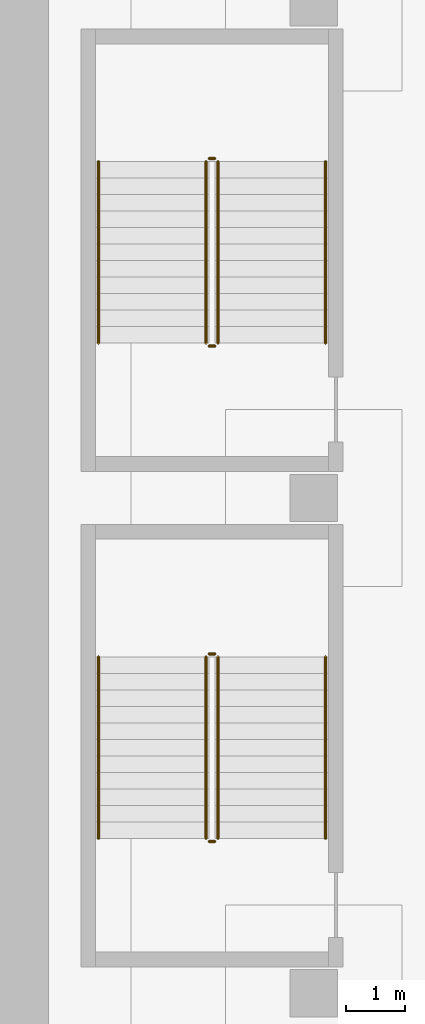
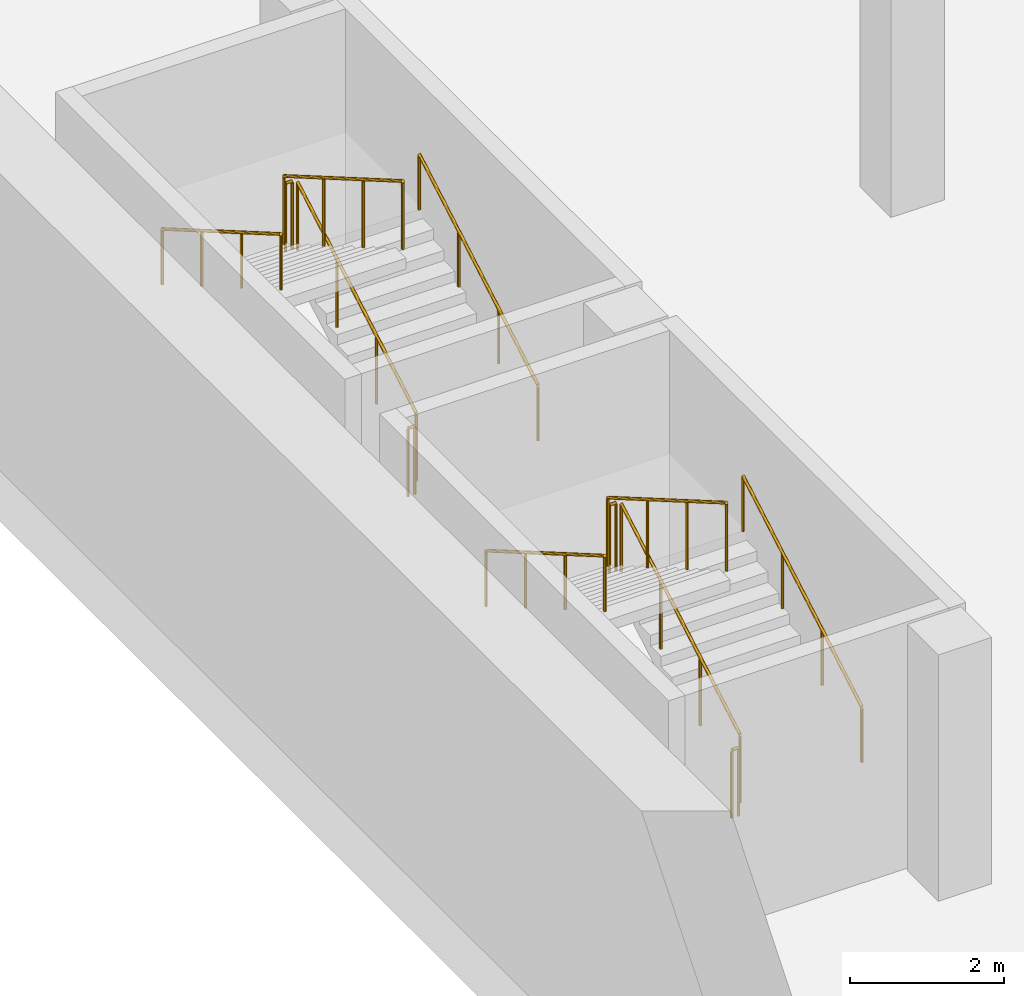
# One storey, part 24 of 27: 12 railings.
"""IFC4 building model written with IfcOpenShell, lengths in metres."""

from ifc_helpers import new_model, si_unit, direction, frame, origin, origin_2d, place, context, subcontext, project, spatial, circle, extrude, material, type_object, element, save


model = new_model("IFC4")

# Units and contexts
model_context = context("Model", 3, precision=1e-05, world=origin(), true_north=direction((0.0, 1.0)))
body_context = subcontext(model_context, "Body", "Model", "MODEL_VIEW")
ifc_project = project(units=[si_unit("LENGTHUNIT", "METRE"), si_unit("AREAUNIT", "SQUARE_METRE"), si_unit("VOLUMEUNIT", "CUBIC_METRE"), si_unit("PLANEANGLEUNIT", "RADIAN"), si_unit("MASSUNIT", "GRAM", prefix="KILO")], contexts=[model_context])

# Site, building, storey
site_placement = place(None, origin())
site = spatial("IfcSite", under=ifc_project, at=site_placement, CompositionType="ELEMENT")
building_placement = place(site_placement, origin())
building = spatial("IfcBuilding", under=site, at=building_placement, Name="Verdalira Terraces Hotel", CompositionType="ELEMENT")
storey_placement = place(building_placement, frame((0.0, 0.0, -11.699951)))
storey = spatial("IfcBuildingStorey", under=building, at=storey_placement, Name="B3", CompositionType="ELEMENT", Elevation=-11.699951171875)

# Railings
ifc_material_1 = material(Name="Stainless steel", Category="steel")
railing_type_1 = type_object("IfcRailingType", Name="Stair guard 1100", PredefinedType="GUARDRAIL", material=ifc_material_1)
railing_1_placement = place(storey_placement, frame((-50.125, 27.824951, 0.162354)))
element("IfcRailing", 1, at=railing_1_placement, inside=storey, type_object=railing_type_1, Name="B3 Basement stair 4 stair guard 1", PredefinedType="GUARDRAIL", context=body_context, shape_type="SweptSolid", body=[
    extrude(circle(Radius=0.023926, at=origin_2d()), frame((0.0, 0.0, 1.076172), z_axis=(0.0, 0.864890721, 0.501960198), x_axis=(-1.0, 0.0, 0.0)), (0.0, 0.0, 1.0), 3.561279),
    extrude(circle(Radius=0.020996, at=origin_2d()), origin(), (0.0, 0.0, 1.0), 1.052002),
    extrude(circle(Radius=0.020996, at=origin_2d()), frame((0.0, 1.026611, 0.595947)), (0.0, 0.0, 1.0), 1.052002),
    extrude(circle(Radius=0.020996, at=origin_2d()), frame((0.0, 2.053467, 1.19165)), (0.0, 0.0, 1.0), 1.052002),
    extrude(circle(Radius=0.020996, at=origin_2d()), frame((0.0, 3.080078, 1.787598)), (0.0, 0.0, 1.0), 1.052002),
])
railing_2_placement = place(storey_placement, frame((-50.175049, 30.955078, 1.949951)))
element("IfcRailing", 2, at=railing_2_placement, inside=storey, type_object=railing_type_1, Name="B3 Basement stair 4 stair guard 2", PredefinedType="GUARDRAIL", context=body_context, shape_type="SweptSolid", body=[
    extrude(circle(Radius=0.023926, at=origin_2d()), frame((0.0, 0.0, 1.076172), z_axis=(-1.0, 0.0, 0.0), x_axis=(0.0, -1.0, 0.0)), (0.0, 0.0, 1.0), 0.099854),
    extrude(circle(Radius=0.020996, at=origin_2d()), origin(), (0.0, 0.0, 1.0), 1.052002),
    extrude(circle(Radius=0.020996, at=origin_2d()), frame((-0.099854, 0.0, 0.0)), (0.0, 0.0, 1.0), 1.052002),
])
railing_3_placement = place(storey_placement, frame((-50.324951, 30.905029, 2.112549)))
element("IfcRailing", 3, at=railing_3_placement, inside=storey, type_object=railing_type_1, Name="B3 Basement stair 4 stair guard 3", PredefinedType="GUARDRAIL", context=body_context, shape_type="SweptSolid", body=[
    extrude(circle(Radius=0.023926, at=origin_2d()), frame((0.0, 0.0, 1.076172), z_axis=(0.0, -0.864920483, 0.501908914), x_axis=(1.0, 0.0, 0.0)), (0.0, 0.0, 1.0), 3.561035),
    extrude(circle(Radius=0.020996, at=origin_2d()), origin(), (0.0, 0.0, 1.0), 1.052002),
    extrude(circle(Radius=0.020996, at=origin_2d()), frame((0.0, -1.026611, 0.595703)), (0.0, 0.0, 1.0), 1.052002),
    extrude(circle(Radius=0.020996, at=origin_2d()), frame((0.0, -2.053467, 1.19165)), (0.0, 0.0, 1.0), 1.052002),
    extrude(circle(Radius=0.020996, at=origin_2d()), frame((0.0, -3.080078, 1.787354)), (0.0, 0.0, 1.0), 1.052002),
])
railing_4_placement = place(storey_placement, frame((-50.175049, 27.774902, 0.0)))
element("IfcRailing", 4, at=railing_4_placement, inside=storey, type_object=railing_type_1, Name="B3 Basement stair 4 stair guard 4", PredefinedType="GUARDRAIL", context=body_context, shape_type="SweptSolid", body=[
    extrude(circle(Radius=0.023926, at=origin_2d()), frame((0.0, 0.0, 1.076172), z_axis=(-1.0, 0.0, 0.0), x_axis=(0.0, -1.0, 0.0)), (0.0, 0.0, 1.0), 0.099854),
    extrude(circle(Radius=0.020996, at=origin_2d()), origin(), (0.0, 0.0, 1.0), 1.052002),
    extrude(circle(Radius=0.020996, at=origin_2d()), frame((-0.099854, 0.0, 0.0)), (0.0, 0.0, 1.0), 1.052002),
])
railing_5_placement = place(storey_placement, frame((-50.125, 19.425049, 0.162354)))
element("IfcRailing", 5, at=railing_5_placement, inside=storey, type_object=railing_type_1, Name="B3 Basement stair 7 stair guard 1", PredefinedType="GUARDRAIL", context=body_context, shape_type="SweptSolid", body=[
    extrude(circle(Radius=0.023926, at=origin_2d()), frame((0.0, 0.0, 1.076172), z_axis=(0.0, 0.864873446, 0.501989962), x_axis=(-1.0, 0.0, 0.0)), (0.0, 0.0, 1.0), 3.561035),
    extrude(circle(Radius=0.020996, at=origin_2d()), origin(), (0.0, 0.0, 1.0), 1.052002),
    extrude(circle(Radius=0.020996, at=origin_2d()), frame((0.0, 1.026611, 0.595947)), (0.0, 0.0, 1.0), 1.052002),
    extrude(circle(Radius=0.020996, at=origin_2d()), frame((0.0, 2.053223, 1.19165)), (0.0, 0.0, 1.0), 1.052002),
    extrude(circle(Radius=0.020996, at=origin_2d()), frame((0.0, 3.079834, 1.787598)), (0.0, 0.0, 1.0), 1.052002),
])
railing_6_placement = place(storey_placement, frame((-50.175049, 22.554932, 1.949951)))
element("IfcRailing", 6, at=railing_6_placement, inside=storey, type_object=railing_type_1, Name="B3 Basement stair 7 stair guard 2", PredefinedType="GUARDRAIL", context=body_context, shape_type="SweptSolid", body=[
    extrude(circle(Radius=0.023926, at=origin_2d()), frame((0.0, 0.0, 1.076172), z_axis=(-1.0, 0.0, 0.0), x_axis=(0.0, -1.0, 0.0)), (0.0, 0.0, 1.0), 0.099854),
    extrude(circle(Radius=0.020996, at=origin_2d()), origin(), (0.0, 0.0, 1.0), 1.052002),
    extrude(circle(Radius=0.020996, at=origin_2d()), frame((-0.099854, 0.0, 0.0)), (0.0, 0.0, 1.0), 1.052002),
])
railing_7_placement = place(storey_placement, frame((-50.324951, 22.504883, 2.112549)))
element("IfcRailing", 7, at=railing_7_placement, inside=storey, type_object=railing_type_1, Name="B3 Basement stair 7 stair guard 3", PredefinedType="GUARDRAIL", context=body_context, shape_type="SweptSolid", body=[
    extrude(circle(Radius=0.023926, at=origin_2d()), frame((0.0, 0.0, 1.076172), z_axis=(0.0, -0.864903211, 0.501938677), x_axis=(1.0, 0.0, 0.0)), (0.0, 0.0, 1.0), 3.560791),
    extrude(circle(Radius=0.020996, at=origin_2d()), origin(), (0.0, 0.0, 1.0), 1.052002),
    extrude(circle(Radius=0.020996, at=origin_2d()), frame((0.0, -1.026611, 0.595703)), (0.0, 0.0, 1.0), 1.052002),
    extrude(circle(Radius=0.020996, at=origin_2d()), frame((0.0, -2.053223, 1.19165)), (0.0, 0.0, 1.0), 1.052002),
    extrude(circle(Radius=0.020996, at=origin_2d()), frame((0.0, -3.079834, 1.787354)), (0.0, 0.0, 1.0), 1.052002),
])
railing_8_placement = place(storey_placement, frame((-50.175049, 19.375, 0.0)))
element("IfcRailing", 8, at=railing_8_placement, inside=storey, type_object=railing_type_1, Name="B3 Basement stair 7 stair guard 4", PredefinedType="GUARDRAIL", context=body_context, shape_type="SweptSolid", body=[
    extrude(circle(Radius=0.023926, at=origin_2d()), frame((0.0, 0.0, 1.076172), z_axis=(-1.0, 0.0, 0.0), x_axis=(0.0, -1.0, 0.0)), (0.0, 0.0, 1.0), 0.099854),
    extrude(circle(Radius=0.020996, at=origin_2d()), origin(), (0.0, 0.0, 1.0), 1.052002),
    extrude(circle(Radius=0.020996, at=origin_2d()), frame((-0.099854, 0.0, 0.0)), (0.0, 0.0, 1.0), 1.052002),
])
ifc_material_2 = material(Name="Stainless steel", Category="steel")
railing_type_2 = type_object("IfcRailingType", Name="Stair handrail 900", PredefinedType="HANDRAIL", material=ifc_material_2)
railing_9_placement = place(storey_placement, frame((-48.300049, 27.824951, 0.162354)))
element("IfcRailing", 9, at=railing_9_placement, inside=storey, type_object=railing_type_2, Name="B3 Basement stair 4 stair handrail 1", PredefinedType="HANDRAIL", context=body_context, shape_type="SweptSolid", body=[
    extrude(circle(Radius=0.023926, at=origin_2d()), frame((0.0, 0.0, 0.875977), z_axis=(0.0, 0.864890721, 0.501960198), x_axis=(-1.0, 0.0, 0.0)), (0.0, 0.0, 1.0), 3.561279),
    extrude(circle(Radius=0.020996, at=origin_2d()), origin(), (0.0, 0.0, 1.0), 0.851807),
    extrude(circle(Radius=0.020996, at=origin_2d()), frame((0.0, 1.026611, 0.595947)), (0.0, 0.0, 1.0), 0.851807),
    extrude(circle(Radius=0.020996, at=origin_2d()), frame((0.0, 2.053467, 1.19165)), (0.0, 0.0, 1.0), 0.851807),
    extrude(circle(Radius=0.020996, at=origin_2d()), frame((0.0, 3.080078, 1.787598)), (0.0, 0.0, 1.0), 0.851807),
])
railing_10_placement = place(storey_placement, frame((-52.149902, 30.905029, 2.112549)))
element("IfcRailing", 10, at=railing_10_placement, inside=storey, type_object=railing_type_2, Name="B3 Basement stair 4 stair handrail 2", PredefinedType="HANDRAIL", context=body_context, shape_type="SweptSolid", body=[
    extrude(circle(Radius=0.023926, at=origin_2d()), frame((0.0, 0.0, 0.875977), z_axis=(0.0, -0.864920483, 0.501908914), x_axis=(1.0, 0.0, 0.0)), (0.0, 0.0, 1.0), 3.561035),
    extrude(circle(Radius=0.020996, at=origin_2d()), origin(), (0.0, 0.0, 1.0), 0.851807),
    extrude(circle(Radius=0.020996, at=origin_2d()), frame((0.0, -1.026611, 0.595703)), (0.0, 0.0, 1.0), 0.851807),
    extrude(circle(Radius=0.020996, at=origin_2d()), frame((0.0, -2.053467, 1.19165)), (0.0, 0.0, 1.0), 0.851807),
    extrude(circle(Radius=0.020996, at=origin_2d()), frame((0.0, -3.080078, 1.787354)), (0.0, 0.0, 1.0), 0.851807),
])
railing_11_placement = place(storey_placement, frame((-48.300049, 19.425049, 0.162354)))
element("IfcRailing", 11, at=railing_11_placement, inside=storey, type_object=railing_type_2, Name="B3 Basement stair 7 stair handrail 1", PredefinedType="HANDRAIL", context=body_context, shape_type="SweptSolid", body=[
    extrude(circle(Radius=0.023926, at=origin_2d()), frame((0.0, 0.0, 0.875977), z_axis=(0.0, 0.864873446, 0.501989962), x_axis=(-1.0, 0.0, 0.0)), (0.0, 0.0, 1.0), 3.561035),
    extrude(circle(Radius=0.020996, at=origin_2d()), origin(), (0.0, 0.0, 1.0), 0.851807),
    extrude(circle(Radius=0.020996, at=origin_2d()), frame((0.0, 1.026611, 0.595947)), (0.0, 0.0, 1.0), 0.851807),
    extrude(circle(Radius=0.020996, at=origin_2d()), frame((0.0, 2.053223, 1.19165)), (0.0, 0.0, 1.0), 0.851807),
    extrude(circle(Radius=0.020996, at=origin_2d()), frame((0.0, 3.079834, 1.787598)), (0.0, 0.0, 1.0), 0.851807),
])
railing_12_placement = place(storey_placement, frame((-52.149902, 22.504883, 2.112549)))
element("IfcRailing", 12, at=railing_12_placement, inside=storey, type_object=railing_type_2, Name="B3 Basement stair 7 stair handrail 2", PredefinedType="HANDRAIL", context=body_context, shape_type="SweptSolid", body=[
    extrude(circle(Radius=0.023926, at=origin_2d()), frame((0.0, 0.0, 0.875977), z_axis=(0.0, -0.864903211, 0.501938677), x_axis=(1.0, 0.0, 0.0)), (0.0, 0.0, 1.0), 3.560791),
    extrude(circle(Radius=0.020996, at=origin_2d()), origin(), (0.0, 0.0, 1.0), 0.851807),
    extrude(circle(Radius=0.020996, at=origin_2d()), frame((0.0, -1.026611, 0.595703)), (0.0, 0.0, 1.0), 0.851807),
    extrude(circle(Radius=0.020996, at=origin_2d()), frame((0.0, -2.053223, 1.19165)), (0.0, 0.0, 1.0), 0.851807),
    extrude(circle(Radius=0.020996, at=origin_2d()), frame((0.0, -3.079834, 1.787354)), (0.0, 0.0, 1.0), 0.851807),
])

save(model, "model.ifc")
